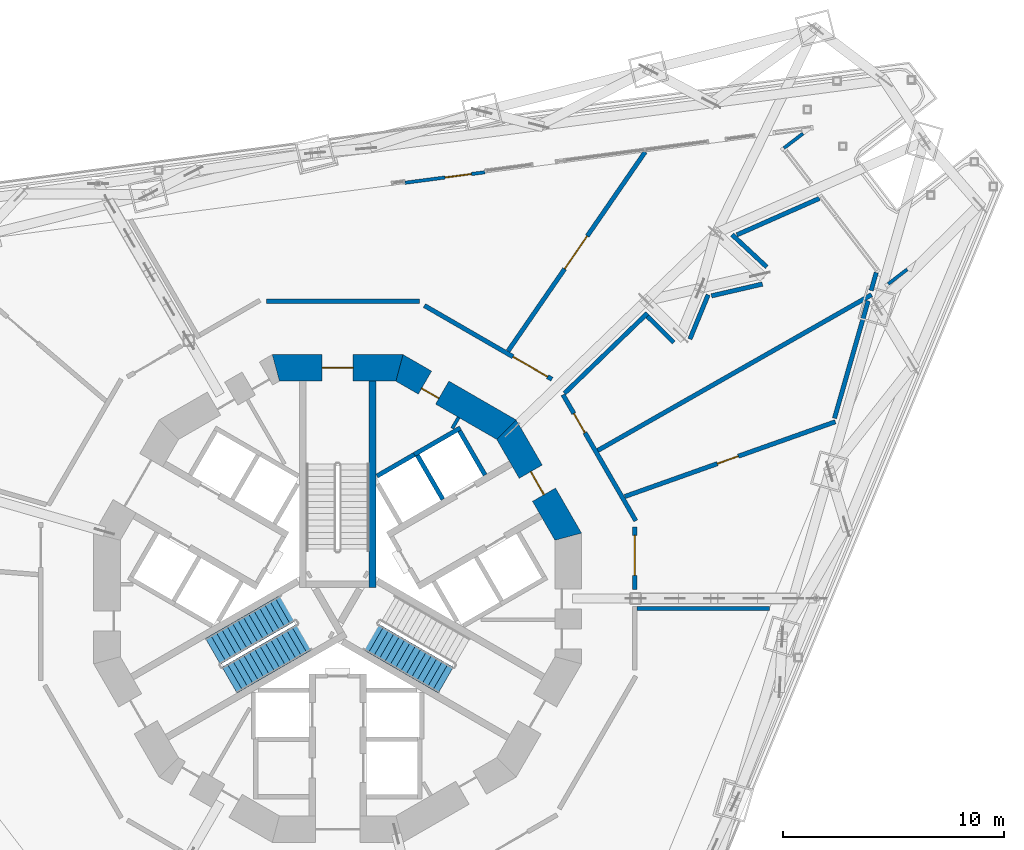
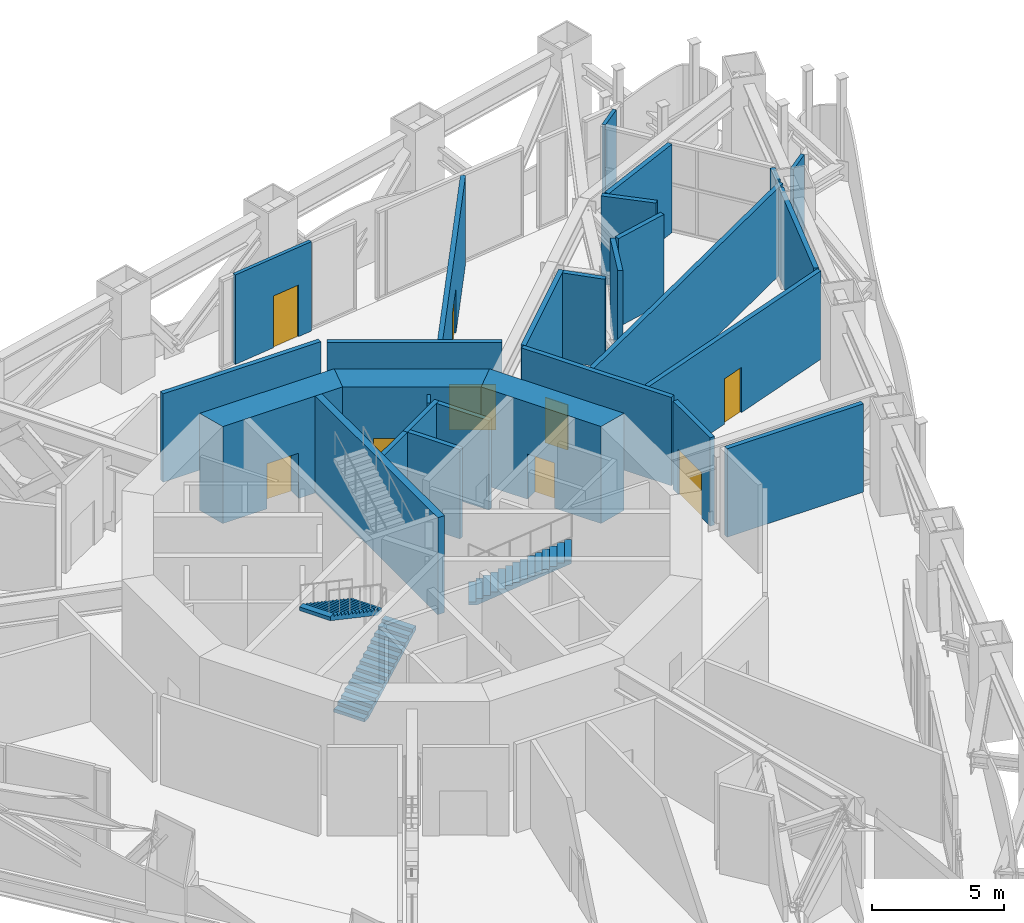
# One storey, part 20 of 31: 28 walls, 9 doors, 3 stair flights, 9 openings, 2 elements without a shape of their own.
"""IFC4 building model written with IfcOpenShell, lengths in metres."""

from ifc_helpers import new_model, si_unit, direction, frame, frame_2d, origin, place, context, subcontext, project, spatial, polyline, rectangle, outline, extrude, material, layer, layer_set, type_object, element, fill, aggregate, save


model = new_model("IFC4")

# Units and contexts
model_context = context("Model", 3, precision=1e-05, world=origin(), true_north=direction((0.0, 1.0)))
body_context = subcontext(model_context, "Body", "Model", "MODEL_VIEW")
ifc_project = project(units=[si_unit("LENGTHUNIT", "METRE"), si_unit("AREAUNIT", "SQUARE_METRE"), si_unit("VOLUMEUNIT", "CUBIC_METRE"), si_unit("PLANEANGLEUNIT", "RADIAN"), si_unit("MASSUNIT", "GRAM", prefix="KILO")], contexts=[model_context])

# Site, building, storey
site_placement = place(None, origin())
site = spatial("IfcSite", under=ifc_project, at=site_placement, CompositionType="ELEMENT")
building_placement = place(site_placement, origin())
building = spatial("IfcBuilding", under=site, at=building_placement, Name="Trine Commons Tower", CompositionType="ELEMENT")
storey_placement = place(building_placement, frame((0.0, 0.0, 82.800048828125)))
storey = spatial("IfcBuildingStorey", under=building, at=storey_placement, Name="L20", CompositionType="ELEMENT", Elevation=82.800048828125)

# Walls
ifc_material_1 = material(Name="Plasterboard partition on steel studs", Category="steel")
ifc_layer_1 = layer(ifc_material_1, 0.14990234375)
ifc_layer_set_1 = layer_set([ifc_layer_1], Name="Plasterboard partition on steel studs")
wall_type_1 = type_object("IfcWallType", Name="Core room partition 150 mm, EI 60", PredefinedType="PARTITIONING", material=ifc_layer_set_1)
wall_1_placement = place(storey_placement, frame((85.4609375, 70.676025390625, 0.0), z_axis=(0.0, 0.0, 1.0), x_axis=(-0.500042804318, -0.866000689289, 0.0)))
element("IfcWall", 1, at=wall_1_placement, inside=storey, type_object=wall_type_1, Name="Core room partition L20", PredefinedType="PARTITIONING", context=body_context, shape_type="SweptSolid", body=[
    extrude(rectangle(XDim=0.57177734375, YDim=0.14990234375, at=frame_2d((0.285888671875, 0.0))), origin(), (0.0, 0.0, 1.0), 4.14990234375),
])
ifc_material_2 = material(Name="Plasterboard on steel stud", Category="steel")
ifc_layer_2 = layer(ifc_material_2, 0.199951171875)
ifc_layer_set_2 = layer_set([ifc_layer_2], Name="Plasterboard on steel stud")
wall_type_2 = type_object("IfcWallType", Name="Fire wall 200 mm, EI 120", PredefinedType="PARTITIONING", material=ifc_layer_set_2)
wall_2_placement = place(storey_placement, frame((76.779541015625, 75.91162109375, 0.0), z_axis=(0.0, 0.0, 1.0), x_axis=(1.0, 0.0, 0.0)))
element("IfcWall", 2, at=wall_2_placement, inside=storey, type_object=wall_type_2, Name="Partition M20022", PredefinedType="PARTITIONING", context=body_context, shape_type="SweptSolid", body=[
    extrude(rectangle(XDim=6.9140625, YDim=0.199951171875, at=frame_2d((3.45703125, 0.0))), origin(), (0.0, 0.0, 1.0), 4.099853515625),
])

# Wall, opening, door
wall_3_placement = place(storey_placement, frame((89.67578125, 72.39990234375, 0.0), z_axis=(0.0, 0.0, 1.0), x_axis=(-0.866027239912, 0.49999681972, 0.0)))
wall_3 = element("IfcWall", 3, at=wall_3_placement, inside=storey, type_object=wall_type_2, Name="Partition M20030", PredefinedType="PARTITIONING", context=body_context, shape_type="SweptSolid", body=[
    extrude(rectangle(XDim=6.64990234375, YDim=0.199951171875, at=frame_2d((3.324951171875, 0.0))), origin(), (0.0, 0.0, 1.0), 4.099853515625),
])
opening_1_placement = place(wall_3_placement, frame((0.228759765625, 0.0, 0.0)))
opening_1 = element("IfcOpeningElement", 4, at=opening_1_placement, cuts=wall_3, Name="Opening D-M2008", PredefinedType="OPENING", context=body_context, shape_type="SweptSolid", body=[
    extrude(rectangle(XDim=1.800048828125, YDim=2.10009765625, at=frame_2d((0.89990234375, 1.050048828125))), frame((0.0, 0.10986328125, 0.0), z_axis=(0.0, -1.0, 0.0), x_axis=(1.0, 0.0, 0.0)), (0.0, 0.0, 1.0), 0.219970703125),
])
ifc_material_3 = material(Name="Timber fire door set", Category="wood")
door_type_1 = type_object("IfcDoorType", Name="Double swing door 1800x2100, FD60", OperationType="DOUBLE_DOOR_DOUBLE_SWING", PredefinedType="DOOR", material=ifc_material_3)
door_1_placement = place(opening_1_placement, origin())
door_1 = element("IfcDoor", 5, at=door_1_placement, inside=storey, type_object=door_type_1, Name="Door D-M2008", OperationType="DOUBLE_DOOR_DOUBLE_SWING", OverallHeight=2.10009765625, OverallWidth=1.800048828125, PredefinedType="DOOR", context=body_context, shape_type="SweptSolid", body=[
    extrude(rectangle(XDim=1.800048828125, YDim=2.10009765625, at=frame_2d((0.89990234375, 1.050048828125))), frame((0.0, 0.02490234375, 0.0), z_axis=(0.0, -1.0, 0.0), x_axis=(1.0, 0.0, 0.0)), (0.0, 0.0, 1.0), 0.050048828125),
])
fill(opening_1, door_1)

wall_4_placement = place(storey_placement, frame((93.883544921875, 82.661376953125, 0.0), z_axis=(0.0, 0.0, 1.0), x_axis=(-0.567152219274, -0.823612991746, 0.0)))
wall_4 = element("IfcWall", 6, at=wall_4_placement, inside=storey, type_object=wall_type_2, Name="Partition M20038", PredefinedType="PARTITIONING", context=body_context, shape_type="SweptSolid", body=[
    extrude(rectangle(XDim=10.9169921875, YDim=0.199951171875, at=frame_2d((5.45849609375, 0.0))), origin(), (0.0, 0.0, 1.0), 4.099853515625),
])
opening_2_placement = place(wall_4_placement, frame((4.61279296875, 0.0, 0.0)))
opening_2 = element("IfcOpeningElement", 7, at=opening_2_placement, cuts=wall_4, Name="Opening D-M2011", PredefinedType="OPENING", context=body_context, shape_type="SweptSolid", body=[
    extrude(rectangle(XDim=1.800048828125, YDim=2.10009765625, at=frame_2d((0.89990234375, 1.050048828125))), frame((0.0, 0.10986328125, 0.0), z_axis=(0.0, -1.0, 0.0), x_axis=(1.0, 0.0, 0.0)), (0.0, 0.0, 1.0), 0.219970703125),
])
door_2_placement = place(opening_2_placement, origin())
door_2 = element("IfcDoor", 8, at=door_2_placement, inside=storey, type_object=door_type_1, Name="Door D-M2011", OperationType="DOUBLE_DOOR_DOUBLE_SWING", OverallHeight=2.10009765625, OverallWidth=1.800048828125, PredefinedType="DOOR", context=body_context, shape_type="SweptSolid", body=[
    extrude(rectangle(XDim=1.800048828125, YDim=2.10009765625, at=frame_2d((0.89990234375, 1.050048828125))), frame((0.0, 0.02490234375, 0.0), z_axis=(0.0, -1.0, 0.0), x_axis=(1.0, 0.0, 0.0)), (0.0, 0.0, 1.0), 0.050048828125),
])
fill(opening_2, door_2)

wall_5_placement = place(storey_placement, frame((90.174560546875, 71.7001953125, 0.0), z_axis=(0.0, 0.0, 1.0), x_axis=(0.500021421018, -0.866013036001, 0.0)))
wall_5 = element("IfcWall", 9, at=wall_5_placement, inside=storey, type_object=wall_type_2, Name="Partition M20040", PredefinedType="PARTITIONING", context=body_context, shape_type="SweptSolid", body=[
    extrude(rectangle(XDim=6.573974609375, YDim=0.199951171875, at=frame_2d((3.287109375, 0.0))), origin(), (0.0, 0.0, 1.0), 4.099853515625),
])
opening_3_placement = place(wall_5_placement, frame((0.982421875, 0.0, 0.0)))
opening_3 = element("IfcOpeningElement", 10, at=opening_3_placement, cuts=wall_5, Name="Opening D-M2012", PredefinedType="OPENING", context=body_context, shape_type="SweptSolid", body=[
    extrude(rectangle(XDim=1.0, YDim=2.10009765625, at=frame_2d((0.5, 1.050048828125))), frame((0.0, 0.10986328125, 0.0), z_axis=(0.0, -1.0, 0.0), x_axis=(1.0, 0.0, 0.0)), (0.0, 0.0, 1.0), 0.219970703125),
])
door_type_2 = type_object("IfcDoorType", Name="Single swing door 1000x2100, FD60", OperationType="SINGLE_SWING_LEFT", PredefinedType="DOOR", material=ifc_material_3)
door_3_placement = place(opening_3_placement, origin())
door_3 = element("IfcDoor", 11, at=door_3_placement, inside=storey, type_object=door_type_2, Name="Door D-M2012", OperationType="SINGLE_SWING_LEFT", OverallHeight=2.10009765625, OverallWidth=1.0, PredefinedType="DOOR", context=body_context, shape_type="SweptSolid", body=[
    extrude(rectangle(XDim=1.0, YDim=2.10009765625, at=frame_2d((0.5, 1.050048828125))), frame((0.0, 0.02490234375, 0.0), z_axis=(0.0, -1.0, 0.0), x_axis=(1.0, 0.0, 0.0)), (0.0, 0.0, 1.0), 0.050048828125),
])
fill(opening_3, door_3)

# Walls
wall_6_placement = place(storey_placement, frame((90.24462890625, 71.767333984375, 0.0), z_axis=(0.0, 0.0, 1.0), x_axis=(0.719322185652, 0.694676610538, 0.0)))
element("IfcWall", 12, at=wall_6_placement, inside=storey, type_object=wall_type_2, Name="Partition M20041", PredefinedType="PARTITIONING", context=body_context, shape_type="SweptSolid", body=[
    extrude(rectangle(XDim=5.20068359375, YDim=0.199951171875, at=frame_2d((2.600341796875, 0.0))), origin(), (0.0, 0.0, 1.0), 4.099853515625),
])
wall_7_placement = place(storey_placement, frame((91.744140625, 69.1826171875, 0.0), z_axis=(0.0, 0.0, 1.0), x_axis=(0.869142964395, 0.494560923894, 0.0)))
element("IfcWall", 13, at=wall_7_placement, inside=storey, type_object=wall_type_2, Name="Partition M20042", PredefinedType="PARTITIONING", context=body_context, shape_type="SweptSolid", body=[
    extrude(rectangle(XDim=14.2197265625, YDim=0.199951171875, at=frame_2d((7.10986328125, 0.0))), origin(), (0.0, 0.0, 1.0), 4.099853515625),
])

# Wall, opening, door
wall_8_placement = place(storey_placement, frame((102.47021484375, 70.479736328125, 0.0), z_axis=(0.0, 0.0, 1.0), x_axis=(-0.942341102276, -0.334653921181, 0.0)))
wall_8 = element("IfcWall", 14, at=wall_8_placement, inside=storey, type_object=wall_type_2, Name="Partition M20043", PredefinedType="PARTITIONING", context=body_context, shape_type="SweptSolid", body=[
    extrude(rectangle(XDim=10.087158203125, YDim=0.199951171875, at=frame_2d((5.04345703125, 0.0))), origin(), (0.0, 0.0, 1.0), 4.099853515625),
])
opening_4_placement = place(wall_8_placement, frame((4.653564453125, 0.0, 0.0)))
opening_4 = element("IfcOpeningElement", 15, at=opening_4_placement, cuts=wall_8, Name="Opening D-M2013", PredefinedType="OPENING", context=body_context, shape_type="SweptSolid", body=[
    extrude(rectangle(XDim=1.0, YDim=2.10009765625, at=frame_2d((0.5, 1.050048828125))), frame((0.0, 0.10986328125, 0.0), z_axis=(0.0, -1.0, 0.0), x_axis=(1.0, 0.0, 0.0)), (0.0, 0.0, 1.0), 0.219970703125),
])
door_4_placement = place(opening_4_placement, origin())
door_4 = element("IfcDoor", 16, at=door_4_placement, inside=storey, type_object=door_type_2, Name="Door D-M2013", OperationType="SINGLE_SWING_LEFT", OverallHeight=2.10009765625, OverallWidth=1.0, PredefinedType="DOOR", context=body_context, shape_type="SweptSolid", body=[
    extrude(rectangle(XDim=1.0, YDim=2.10009765625, at=frame_2d((0.5, 1.050048828125))), frame((0.0, 0.02490234375, 0.0), z_axis=(0.0, -1.0, 0.0), x_axis=(1.0, 0.0, 0.0)), (0.0, 0.0, 1.0), 0.050048828125),
])
fill(opening_4, door_4)

wall_9_placement = place(storey_placement, frame((93.41162109375, 62.89990234375, 0.0), z_axis=(0.0, 0.0, 1.0), x_axis=(0.0, 1.0, 0.0)))
wall_9 = element("IfcWall", 17, at=wall_9_placement, inside=storey, type_object=wall_type_2, Name="Partition M20045", PredefinedType="PARTITIONING", context=body_context, shape_type="SweptSolid", body=[
    extrude(rectangle(XDim=2.820556640625, YDim=0.199951171875, at=frame_2d((1.41015625, 0.0))), origin(), (0.0, 0.0, 1.0), 4.099853515625),
])
opening_5_placement = place(wall_9_placement, frame((0.646728515625, 0.0, 0.0)))
opening_5 = element("IfcOpeningElement", 18, at=opening_5_placement, cuts=wall_9, Name="Opening D-M2014", PredefinedType="OPENING", context=body_context, shape_type="SweptSolid", body=[
    extrude(rectangle(XDim=1.800048828125, YDim=2.10009765625, at=frame_2d((0.89990234375, 1.050048828125))), frame((0.0, 0.10986328125, 0.0), z_axis=(0.0, -1.0, 0.0), x_axis=(1.0, 0.0, 0.0)), (0.0, 0.0, 1.0), 0.219970703125),
])
door_5_placement = place(opening_5_placement, origin())
door_5 = element("IfcDoor", 19, at=door_5_placement, inside=storey, type_object=door_type_1, Name="Door D-M2014", OperationType="DOUBLE_DOOR_DOUBLE_SWING", OverallHeight=2.10009765625, OverallWidth=1.800048828125, PredefinedType="DOOR", context=body_context, shape_type="SweptSolid", body=[
    extrude(rectangle(XDim=1.800048828125, YDim=2.10009765625, at=frame_2d((0.89990234375, 1.050048828125))), frame((0.0, 0.02490234375, 0.0), z_axis=(0.0, -1.0, 0.0), x_axis=(1.0, 0.0, 0.0)), (0.0, 0.0, 1.0), 0.050048828125),
])
fill(opening_5, door_5)

# Walls
wall_10_placement = place(storey_placement, frame((93.513671875, 62.050048828125, 0.0), z_axis=(0.0, 0.0, 1.0), x_axis=(1.0, 0.0, 0.0)))
element("IfcWall", 20, at=wall_10_placement, inside=storey, type_object=wall_type_2, Name="Partition M20046", PredefinedType="PARTITIONING", context=body_context, shape_type="SweptSolid", body=[
    extrude(rectangle(XDim=5.97216796875, YDim=0.199951171875, at=frame_2d((2.986083984375, 0.0))), origin(), (0.0, 0.0, 1.0), 4.099853515625),
])
wall_11_placement = place(storey_placement, frame((93.986328125, 75.23876953125, 0.0), z_axis=(0.0, 0.0, 1.0), x_axis=(0.710464514196, -0.703733027553, 0.0)))
element("IfcWall", 21, at=wall_11_placement, inside=storey, type_object=wall_type_2, Name="Partition M20047", PredefinedType="PARTITIONING", context=body_context, shape_type="SweptSolid", body=[
    extrude(rectangle(XDim=1.66845703125, YDim=0.199951171875, at=frame_2d((0.834228515625, 0.0))), origin(), (0.0, 0.0, 1.0), 4.099853515625),
])
wall_12_placement = place(storey_placement, frame((95.904296875, 74.213134765625, 0.0), z_axis=(0.0, 0.0, 1.0), x_axis=(0.380619186779, 0.924731871764, 0.0)))
element("IfcWall", 22, at=wall_12_placement, inside=storey, type_object=wall_type_2, Name="Partition M20048", PredefinedType="PARTITIONING", context=body_context, shape_type="SweptSolid", body=[
    extrude(rectangle(XDim=2.162353515625, YDim=0.199951171875, at=frame_2d((1.0810546875, 0.0))), origin(), (0.0, 0.0, 1.0), 4.099853515625),
])
wall_13_placement = place(storey_placement, frame((96.8779296875, 76.163818359375, 0.0), z_axis=(0.0, 0.0, 1.0), x_axis=(0.974205850961, 0.22566116182, 0.0)))
element("IfcWall", 23, at=wall_13_placement, inside=storey, type_object=wall_type_2, Name="Partition M20049", PredefinedType="PARTITIONING", context=body_context, shape_type="SweptSolid", body=[
    extrude(rectangle(XDim=2.357421875, YDim=0.199951171875, at=frame_2d((1.1787109375, 0.0))), origin(), (0.0, 0.0, 1.0), 4.099853515625),
])
wall_14_placement = place(storey_placement, frame((97.8095703125, 78.923095703125, 0.0), z_axis=(0.0, 0.0, 1.0), x_axis=(0.731895934065, -0.681416423121, 0.0)))
element("IfcWall", 24, at=wall_14_placement, inside=storey, type_object=wall_type_2, Name="Partition M20050", PredefinedType="PARTITIONING", context=body_context, shape_type="SweptSolid", body=[
    extrude(rectangle(XDim=2.142578125, YDim=0.199951171875, at=frame_2d((1.0712890625, 0.0))), origin(), (0.0, 0.0, 1.0), 4.099853515625),
])
wall_15_placement = place(storey_placement, frame((98.021484375, 78.916259765625, 0.0), z_axis=(0.0, 0.0, 1.0), x_axis=(0.914605214504, 0.404347995671, 0.0)))
element("IfcWall", 25, at=wall_15_placement, inside=storey, type_object=wall_type_2, Name="Partition M20051", PredefinedType="PARTITIONING", context=body_context, shape_type="SweptSolid", body=[
    extrude(rectangle(XDim=4.07568359375, YDim=0.199951171875, at=frame_2d((2.037841796875, 0.0))), origin(), (0.0, 0.0, 1.0), 4.099853515625),
])
wall_16_placement = place(storey_placement, frame((102.430419921875, 70.635498046875, 0.0), z_axis=(0.0, 0.0, 1.0), x_axis=(0.275639765474, 0.961261004977, 0.0)))
element("IfcWall", 26, at=wall_16_placement, inside=storey, type_object=wall_type_2, Name="Partition M20052", PredefinedType="PARTITIONING", context=body_context, shape_type="SweptSolid", body=[
    extrude(rectangle(XDim=5.510009765625, YDim=0.199951171875, at=frame_2d((2.7548828125, 0.0))), origin(), (0.0, 0.0, 1.0), 4.099853515625),
])
wall_17_placement = place(storey_placement, frame((104.084228515625, 76.4033203125, 0.0), z_axis=(0.0, 0.0, 1.0), x_axis=(0.275711340269, 0.961240478157, 0.0)))
element("IfcWall", 27, at=wall_17_placement, inside=storey, type_object=wall_type_2, Name="Partition M20053", PredefinedType="PARTITIONING", context=body_context, shape_type="SweptSolid", body=[
    extrude(rectangle(XDim=0.846435546875, YDim=0.199951171875, at=frame_2d((0.42333984375, 0.0))), origin(), (0.0, 0.0, 1.0), 4.099853515625),
])

# Wall, opening, door
ifc_material_4 = material(Name="Aluminium-framed insulated wall panel", Category="aluminium")
ifc_layer_3 = layer(ifc_material_4, 0.14990234375)
ifc_layer_set_3 = layer_set([ifc_layer_3], Name="Aluminium-framed insulated wall panel")
wall_type_3 = type_object("IfcWallType", Name="Glazed entrance wall 150, EI 60", PredefinedType="SOLIDWALL", material=ifc_layer_set_3)
wall_18_placement = place(storey_placement, frame((83.041748046875, 81.269287109375, 0.0), z_axis=(0.0, 0.0, 1.0), x_axis=(0.991436726328, 0.130587969157, 0.0)))
wall_18 = element("IfcWall", 28, at=wall_18_placement, inside=storey, type_object=wall_type_3, Name="Glazed entrance wall L20 F1 9", PredefinedType="SOLIDWALL", context=body_context, shape_type="SweptSolid", body=[
    extrude(rectangle(XDim=3.643798828125, YDim=0.14990234375, at=frame_2d((1.82177734375, 0.0))), origin(), (0.0, 0.0, 1.0), 4.14990234375),
])
opening_6_placement = place(wall_18_placement, frame((1.82177734375, 0.0, 0.0)))
opening_6 = element("IfcOpeningElement", 29, at=opening_6_placement, cuts=wall_18, Name="Opening SD-L20-F1-09", PredefinedType="OPENING", context=body_context, shape_type="SweptSolid", body=[
    extrude(rectangle(XDim=1.199951171875, YDim=2.39990234375, at=frame_2d((0.60009765625, 1.199951171875))), frame((0.0, 0.0849609375, 0.0), z_axis=(0.0, -1.0, 0.0), x_axis=(1.0, 0.0, 0.0)), (0.0, 0.0, 1.0), 0.169921875),
])
ifc_material_5 = material(Name="Anodised aluminium frame with double glazing", Category="aluminium")
door_type_3 = type_object("IfcDoorType", Name="Sliding door 1200x2400", OperationType="SLIDING_TO_LEFT", PredefinedType="DOOR", material=ifc_material_5)
door_6_placement = place(opening_6_placement, origin())
door_6 = element("IfcDoor", 30, at=door_6_placement, inside=storey, type_object=door_type_3, Name="Loggia door L20 F1 9", OperationType="SLIDING_TO_LEFT", OverallHeight=2.39990234375, OverallWidth=1.199951171875, PredefinedType="DOOR", context=body_context, shape_type="SweptSolid", body=[
    extrude(rectangle(XDim=1.199951171875, YDim=2.39990234375, at=frame_2d((0.60009765625, 1.199951171875))), frame((0.0, 0.02490234375, 0.0), z_axis=(0.0, -1.0, 0.0), x_axis=(1.0, 0.0, 0.0)), (0.0, 0.0, 1.0), 0.050048828125),
])
fill(opening_6, door_6)

# Walls
ifc_layer_4 = layer(ifc_material_4, 0.14990234375)
ifc_layer_set_4 = layer_set([ifc_layer_4], Name="Aluminium-framed insulated wall panel")
wall_type_4 = type_object("IfcWallType", Name="Glazed frame wall 150, EI 60", PredefinedType="SOLIDWALL", material=ifc_layer_set_4)
wall_19_placement = place(storey_placement, frame((101.129150390625, 83.584716796875, 0.0), z_axis=(0.0, 0.0, 1.0), x_axis=(-0.79337253673, -0.608736410905, 0.0)))
element("IfcWall", 31, at=wall_19_placement, inside=storey, type_object=wall_type_4, Name="Glazed frame wall L20 R5", PredefinedType="SOLIDWALL", context=body_context, shape_type="SweptSolid", body=[
    extrude(outline(polyline([(0.1494140625, 0.074951171875), (0.1494140625, -0.074951171875), (1.235107421875, -0.074951171875), (1.235107421875, 0.074951171875), (0.1494140625, 0.074951171875)])), origin(), (0.0, 0.0, 1.0), 4.14990234375),
])
wall_20_placement = place(storey_placement, frame((104.767822265625, 76.63330078125, 0.0), z_axis=(0.0, 0.0, 1.0), x_axis=(0.793352136239, 0.608762998157, 0.0)))
element("IfcWall", 32, at=wall_20_placement, inside=storey, type_object=wall_type_4, Name="Glazed frame wall L20 R7", PredefinedType="SOLIDWALL", context=body_context, shape_type="SweptSolid", body=[
    extrude(outline(polyline([(0.110107421875, 0.074951171875), (0.110107421875, -0.074951171875), (1.19580078125, -0.074951171875), (1.19580078125, 0.074951171875), (0.110107421875, 0.074951171875)])), origin(), (0.0, 0.0, 1.0), 4.14990234375),
])

# Wall, opening, door
ifc_material_6 = material(Name="Concrete C70/85", Category="concrete")
ifc_layer_5 = layer(ifc_material_6, 1.199951171875)
ifc_layer_set_5 = layer_set([ifc_layer_5], Name="Concrete C70/85")
wall_type_5 = type_object("IfcWallType", Name="RC shear wall 1200 mm, C70/85", PredefinedType="SHEAR", material=ifc_layer_set_5)
wall_21_placement = place(storey_placement, frame((90.491943359375, 65.150390625, 0.0), z_axis=(0.0, 0.0, 1.0), x_axis=(-0.499979111662, 0.866037463336, 0.0)))
wall_21 = element("IfcWall", 33, at=wall_21_placement, inside=storey, type_object=wall_type_5, Name="Core wall CWC-02 L20", PredefinedType="SHEAR", context=body_context, shape_type="SweptSolid", body=[
    extrude(outline(polyline([(0.0, -0.60009765625), (5.901123046875, -0.60009765625), (5.57958984375, 0.60009765625), (0.321533203125, 0.60009765625), (0.0, -0.60009765625)])), origin(), (0.0, 0.0, 1.0), 4.5),
])
opening_7_placement = place(wall_21_placement, frame((2.3505859375, 0.0, 0.0)))
opening_7 = element("IfcOpeningElement", 34, at=opening_7_placement, cuts=wall_21, Name="Opening K08.04", PredefinedType="OPENING", context=body_context, shape_type="SweptSolid", body=[
    extrude(rectangle(XDim=1.199951171875, YDim=2.10009765625, at=frame_2d((0.60009765625, 1.050048828125))), frame((0.0, 0.60986328125, 0.0), z_axis=(0.0, -1.0, 0.0), x_axis=(1.0, 0.0, 0.0)), (0.0, 0.0, 1.0), 1.219970703125),
])
ifc_material_7 = material(Name="Steel door leaves, fire-rated", Category="steel")
door_type_4 = type_object("IfcDoorType", Name="Lobby door, double leaf 1200 x 2100, FD60", OperationType="DOUBLE_DOOR_SINGLE_SWING", PredefinedType="DOOR", material=ifc_material_7)
door_7_placement = place(opening_7_placement, origin())
door_7 = element("IfcDoor", 35, at=door_7_placement, inside=storey, type_object=door_type_4, Name="Lobby door, Passenger lift lobby A L20", OperationType="DOUBLE_DOOR_SINGLE_SWING", OverallHeight=2.10009765625, OverallWidth=1.199951171875, PredefinedType="DOOR", context=body_context, shape_type="SweptSolid", body=[
    extrude(rectangle(XDim=1.199951171875, YDim=2.10009765625, at=frame_2d((0.60009765625, 1.050048828125))), frame((0.0, 0.02490234375, 0.0), z_axis=(0.0, -1.0, 0.0), x_axis=(1.0, 0.0, 0.0)), (0.0, 0.0, 1.0), 0.050048828125),
])
fill(opening_7, door_7)

wall_22_placement = place(storey_placement, frame((87.760986328125, 70.04150390625, 0.0), z_axis=(0.0, 0.0, 1.0), x_axis=(-0.866037463336, 0.499979111662, 0.0)))
wall_22 = element("IfcWall", 36, at=wall_22_placement, inside=storey, type_object=wall_type_5, Name="Core wall CWC-03 L20", PredefinedType="SHEAR", context=body_context, shape_type="SweptSolid", body=[
    extrude(outline(polyline([(0.0, -0.60009765625), (5.901123046875, -0.60009765625), (5.57958984375, 0.60009765625), (0.321533203125, 0.60009765625), (0.0, -0.60009765625)])), origin(), (0.0, 0.0, 1.0), 4.5),
])
opening_8_placement = place(wall_22_placement, frame((3.509521484375, 0.0, 0.0)))
opening_8 = element("IfcOpeningElement", 37, at=opening_8_placement, cuts=wall_22, Name="Opening K08.11", PredefinedType="OPENING", context=body_context, shape_type="SweptSolid", body=[
    extrude(rectangle(XDim=0.89990234375, YDim=2.10009765625, at=frame_2d((0.449951171875, 1.050048828125))), frame((0.0, 0.60986328125, 0.0), z_axis=(0.0, -1.0, 0.0), x_axis=(1.0, 0.0, 0.0)), (0.0, 0.0, 1.0), 1.219970703125),
])
ifc_material_8 = material(Name="Steel door leaf, fire-rated", Category="steel")
door_type_5 = type_object("IfcDoorType", Name="Core room door, single leaf 900 x 2100, FD30S", OperationType="SINGLE_SWING_LEFT", PredefinedType="DOOR", material=ifc_material_8)
door_8_placement = place(opening_8_placement, origin())
door_8 = element("IfcDoor", 38, at=door_8_placement, inside=storey, type_object=door_type_5, Name="Door to Store L20", OperationType="SINGLE_SWING_RIGHT", OverallHeight=2.10009765625, OverallWidth=0.89990234375, PredefinedType="DOOR", context=body_context, shape_type="SweptSolid", body=[
    extrude(rectangle(XDim=0.89990234375, YDim=2.10009765625, at=frame_2d((0.449951171875, 1.050048828125))), frame((0.0, 0.3251953125, 0.0), z_axis=(0.0, -1.0, 0.0), x_axis=(1.0, 0.0, 0.0)), (0.0, 0.0, 1.0), 0.050048828125),
])
fill(opening_8, door_8)

wall_23_placement = place(storey_placement, frame((82.950439453125, 72.91162109375, 0.0), z_axis=(0.0, 0.0, 1.0), x_axis=(-1.0, 0.0, 0.0)))
wall_23 = element("IfcWall", 39, at=wall_23_placement, inside=storey, type_object=wall_type_5, Name="Core wall CWC-04 L20", PredefinedType="SHEAR", context=body_context, shape_type="SweptSolid", body=[
    extrude(outline(polyline([(0.0, -0.60009765625), (5.90087890625, -0.60009765625), (5.57958984375, 0.60009765625), (0.321533203125, 0.60009765625), (0.0, -0.60009765625)])), origin(), (0.0, 0.0, 1.0), 4.5),
])
opening_9_placement = place(wall_23_placement, frame((2.25048828125, 0.0, 0.0)))
opening_9 = element("IfcOpeningElement", 40, at=opening_9_placement, cuts=wall_23, Name="Opening K08.01", PredefinedType="OPENING", context=body_context, shape_type="SweptSolid", body=[
    extrude(rectangle(XDim=1.39990234375, YDim=2.10009765625, at=frame_2d((0.699951171875, 1.050048828125))), frame((0.0, 0.60986328125, 0.0), z_axis=(0.0, -1.0, 0.0), x_axis=(1.0, 0.0, 0.0)), (0.0, 0.0, 1.0), 1.219970703125),
])
door_type_6 = type_object("IfcDoorType", Name="Stair door, double leaf 1400 x 2100, FD90", OperationType="DOUBLE_DOOR_SINGLE_SWING", PredefinedType="DOOR", material=ifc_material_7)
door_9_placement = place(opening_9_placement, origin())
door_9 = element("IfcDoor", 41, at=door_9_placement, inside=storey, type_object=door_type_6, Name="Stair door to Exit stair ST1A L20", OperationType="DOUBLE_DOOR_SINGLE_SWING", OverallHeight=2.10009765625, OverallWidth=1.39990234375, PredefinedType="DOOR", context=body_context, shape_type="SweptSolid", body=[
    extrude(rectangle(XDim=1.39990234375, YDim=2.10009765625, at=frame_2d((0.699951171875, 1.050048828125))), frame((0.0, 0.02490234375, 0.0), z_axis=(0.0, -1.0, 0.0), x_axis=(1.0, 0.0, 0.0)), (0.0, 0.0, 1.0), 0.050048828125),
])
fill(opening_9, door_9)

# Walls
ifc_layer_6 = layer(ifc_material_6, 0.300048828125)
ifc_layer_set_6 = layer_set([ifc_layer_6], Name="Concrete C70/85")
wall_type_6 = type_object("IfcWallType", Name="RC shear wall 300 mm, C70/85", PredefinedType="SHEAR", material=ifc_layer_set_6)
wall_24_placement = place(storey_placement, frame((81.574951171875, 63.0009765625, 0.0), z_axis=(0.0, 0.0, 1.0), x_axis=(0.0, 1.0, 0.0)))
element("IfcWall", 42, at=wall_24_placement, inside=storey, type_object=wall_type_6, Name="Core cross wall SWA-17 L20", PredefinedType="SHEAR", context=body_context, shape_type="SweptSolid", body=[
    extrude(rectangle(XDim=9.31103515625, YDim=0.300048828125, at=frame_2d((4.655517578125, 0.0))), origin(), (0.0, 0.0, 1.0), 4.5),
])
ifc_material_9 = material(Name="Fire-rated gypsum shaft wall system")
ifc_layer_7 = layer(ifc_material_9, 0.199951171875)
ifc_layer_set_7 = layer_set([ifc_layer_7], Name="Fire-rated gypsum shaft wall system")
wall_type_7 = type_object("IfcWallType", Name="Shaft wall 200 mm, EI 120", PredefinedType="PARTITIONING", material=ifc_layer_set_7)
wall_25_placement = place(storey_placement, frame((81.77490234375, 68.028076171875, 0.0), z_axis=(0.0, 0.0, 1.0), x_axis=(0.866052014814, 0.499953905513, 0.0)))
element("IfcWall", 43, at=wall_25_placement, inside=storey, type_object=wall_type_7, Name="Shaft wall L20", PredefinedType="PARTITIONING", context=body_context, shape_type="SweptSolid", body=[
    extrude(rectangle(XDim=1.947998046875, YDim=0.199951171875, at=frame_2d((0.97412109375, 0.0))), origin(), (0.0, 0.0, 1.0), 4.14990234375),
])
wall_26_placement = place(storey_placement, frame((83.4619140625, 69.001953125, 0.0), z_axis=(0.0, 0.0, 1.0), x_axis=(0.866202511239, 0.499693115345, 0.0)))
element("IfcWall", 44, at=wall_26_placement, inside=storey, type_object=wall_type_7, Name="Shaft wall L20", PredefinedType="PARTITIONING", context=body_context, shape_type="SweptSolid", body=[
    extrude(rectangle(XDim=2.4013671875, YDim=0.199951171875, at=frame_2d((1.20068359375, 0.0))), origin(), (0.0, 0.0, 1.0), 4.14990234375),
])
wall_27_placement = place(storey_placement, frame((84.7490234375, 66.97412109375, 0.0), z_axis=(0.0, 0.0, 1.0), x_axis=(-0.500136062276, 0.86594683394, 0.0)))
element("IfcWall", 45, at=wall_27_placement, inside=storey, type_object=wall_type_7, Name="Shaft wall L20", PredefinedType="PARTITIONING", context=body_context, shape_type="SweptSolid", body=[
    extrude(rectangle(XDim=2.299072265625, YDim=0.199951171875, at=frame_2d((1.1494140625, 0.0))), origin(), (0.0, 0.0, 1.0), 4.14990234375),
])
wall_28_placement = place(storey_placement, frame((86.655029296875, 68.073974609375, 0.0), z_axis=(0.0, 0.0, 1.0), x_axis=(-0.500215680983, 0.865900844496, 0.0)))
element("IfcWall", 46, at=wall_28_placement, inside=storey, type_object=wall_type_7, Name="Shaft wall L20", PredefinedType="PARTITIONING", context=body_context, shape_type="SweptSolid", body=[
    extrude(rectangle(XDim=2.29931640625, YDim=0.199951171875, at=frame_2d((1.149658203125, 0.0))), origin(), (0.0, 0.0, 1.0), 4.14990234375),
])

# Stair, stair flights
ifc_material_10 = material(Name="Concrete C50/60", Category="concrete")
stair_type = type_object("IfcStairType", Name="Exit stair, dog-leg, 30 risers of 150 mm", PredefinedType="HALF_TURN_STAIR", material=ifc_material_10)
stair_1_placement = place(storey_placement, origin())
stair_1 = element("IfcStair", 47, at=stair_1_placement, inside=storey, type_object=stair_type, Name="L20 Exit stair ST2A", PredefinedType="HALF_TURN_STAIR")
stair_flight_type = type_object("IfcStairFlightType", Name="Stair flight, 1350 wide, 15 risers of 150 mm", PredefinedType="STRAIGHT", material=ifc_material_10)
stair_flight_1_placement = place(storey_placement, frame((75.11767578125, 58.815185546875, 0.0), z_axis=(0.0, 0.0, 1.0), x_axis=(0.866025403784, 0.5, 0.0)))
stair_flight_1 = element("IfcStairFlight", 48, at=stair_flight_1_placement, type_object=stair_flight_type, Name="ST2A flight 1", NumberOfRisers=15, NumberOfTreads=14, PredefinedType="STRAIGHT", RiserHeight=0.15, TreadLength=0.28, context=body_context, shape_type="SweptSolid", body=[
    extrude(outline(polyline([(0.0, 0.0), (0.0, 0.14990234375), (0.280029296875, 0.14990234375), (0.280029296875, 0.300048828125), (0.56005859375, 0.300048828125), (0.56005859375, 0.449951171875), (0.840087890625, 0.449951171875), (0.840087890625, 0.60009765625), (1.1201171875, 0.60009765625), (1.1201171875, 0.75), (1.39990234375, 0.75), (1.39990234375, 0.89990234375), (1.679931640625, 0.89990234375), (1.679931640625, 1.050048828125), (1.9599609375, 1.050048828125), (1.9599609375, 1.199951171875), (2.239990234375, 1.199951171875), (2.239990234375, 1.35009765625), (2.52001953125, 1.35009765625), (2.52001953125, 1.5), (2.800048828125, 1.5), (2.800048828125, 1.64990234375), (3.080078125, 1.64990234375), (3.080078125, 1.800048828125), (3.360107421875, 1.800048828125), (3.360107421875, 1.949951171875), (3.639892578125, 1.949951171875), (3.639892578125, 2.10009765625), (3.919921875, 2.10009765625), (3.919921875, 2.25), (3.919921875, 1.929931640625), (0.3173828125, 0.0), (0.0, 0.0)])), frame((0.0, 0.675048828125, 0.0), z_axis=(0.0, -1.0, 0.0), x_axis=(1.0, 0.0, 0.0)), (0.0, 0.0, 1.0), 1.35009765625),
])
stair_flight_2_placement = place(storey_placement, frame((77.762451171875, 62.07421875, 2.25), z_axis=(0.0, 0.0, 1.0), x_axis=(-0.866025403784, -0.5, 0.0)))
stair_flight_2 = element("IfcStairFlight", 49, at=stair_flight_2_placement, type_object=stair_flight_type, Name="ST2A flight 2", NumberOfRisers=15, NumberOfTreads=14, PredefinedType="STRAIGHT", RiserHeight=0.15, TreadLength=0.28, context=body_context, shape_type="SweptSolid", body=[
    extrude(outline(polyline([(0.0, 0.0), (0.0, 0.14990234375), (0.280029296875, 0.14990234375), (0.280029296875, 0.300048828125), (0.56005859375, 0.300048828125), (0.56005859375, 0.449951171875), (0.840087890625, 0.449951171875), (0.840087890625, 0.60009765625), (1.1201171875, 0.60009765625), (1.1201171875, 0.75), (1.39990234375, 0.75), (1.39990234375, 0.89990234375), (1.679931640625, 0.89990234375), (1.679931640625, 1.050048828125), (1.9599609375, 1.050048828125), (1.9599609375, 1.199951171875), (2.239990234375, 1.199951171875), (2.239990234375, 1.35009765625), (2.52001953125, 1.35009765625), (2.52001953125, 1.5), (2.800048828125, 1.5), (2.800048828125, 1.64990234375), (3.080078125, 1.64990234375), (3.080078125, 1.800048828125), (3.360107421875, 1.800048828125), (3.360107421875, 1.949951171875), (3.639892578125, 1.949951171875), (3.639892578125, 2.10009765625), (3.919921875, 2.10009765625), (3.919921875, 2.25), (3.919921875, 1.929931640625), (0.3173828125, 0.0), (0.0, 0.0)])), frame((0.0, 0.675048828125, 0.0), z_axis=(0.0, -1.0, 0.0), x_axis=(1.0, 0.0, 0.0)), (0.0, 0.0, 1.0), 1.35009765625),
])
aggregate(stair_1, [stair_flight_1, stair_flight_2])

# Stair, stair flight
stair_2_placement = place(storey_placement, origin())
stair_2 = element("IfcStair", 50, at=stair_2_placement, inside=storey, type_object=stair_type, Name="L20 Exit stair ST3A", PredefinedType="HALF_TURN_STAIR")
stair_flight_3_placement = place(storey_placement, frame((81.487548828125, 60.775146484375, 2.25), z_axis=(0.0, 0.0, 1.0), x_axis=(0.866025403784, -0.5, 0.0)))
stair_flight_3 = element("IfcStairFlight", 51, at=stair_flight_3_placement, type_object=stair_flight_type, Name="ST3A flight 2", NumberOfRisers=15, NumberOfTreads=14, PredefinedType="STRAIGHT", RiserHeight=0.15, TreadLength=0.28, context=body_context, shape_type="SweptSolid", body=[
    extrude(outline(polyline([(0.0, 0.0), (0.0, 0.14990234375), (0.280029296875, 0.14990234375), (0.280029296875, 0.300048828125), (0.56005859375, 0.300048828125), (0.56005859375, 0.449951171875), (0.840087890625, 0.449951171875), (0.840087890625, 0.60009765625), (1.1201171875, 0.60009765625), (1.1201171875, 0.75), (1.39990234375, 0.75), (1.39990234375, 0.89990234375), (1.679931640625, 0.89990234375), (1.679931640625, 1.050048828125), (1.9599609375, 1.050048828125), (1.9599609375, 1.199951171875), (2.239990234375, 1.199951171875), (2.239990234375, 1.35009765625), (2.52001953125, 1.35009765625), (2.52001953125, 1.5), (2.800048828125, 1.5), (2.800048828125, 1.64990234375), (3.080078125, 1.64990234375), (3.080078125, 1.800048828125), (3.360107421875, 1.800048828125), (3.360107421875, 1.949951171875), (3.639892578125, 1.949951171875), (3.639892578125, 2.10009765625), (3.919921875, 2.10009765625), (3.919921875, 2.25), (3.919921875, 1.929931640625), (0.3173828125, 0.0), (0.0, 0.0)])), frame((0.0, 0.675048828125, 0.0), z_axis=(0.0, -1.0, 0.0), x_axis=(1.0, 0.0, 0.0)), (0.0, 0.0, 1.0), 1.35009765625),
])
aggregate(stair_2, [stair_flight_3])

save(model, "model.ifc")
